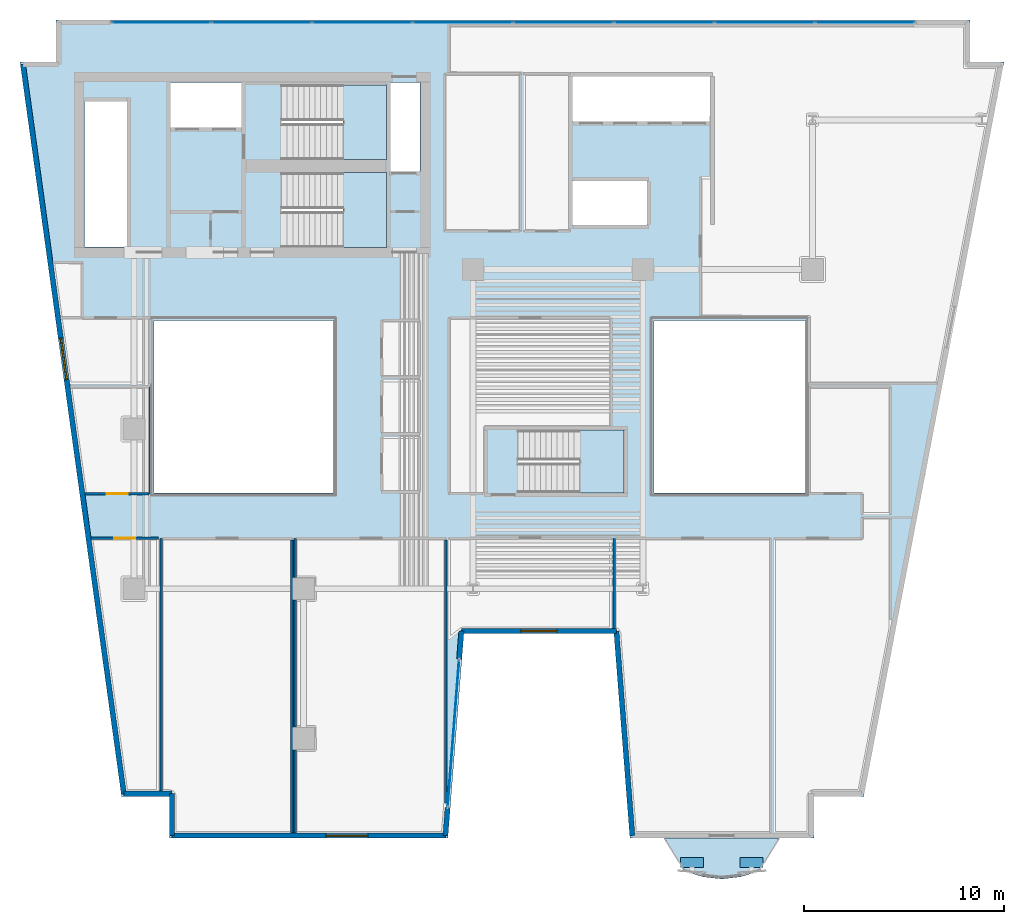
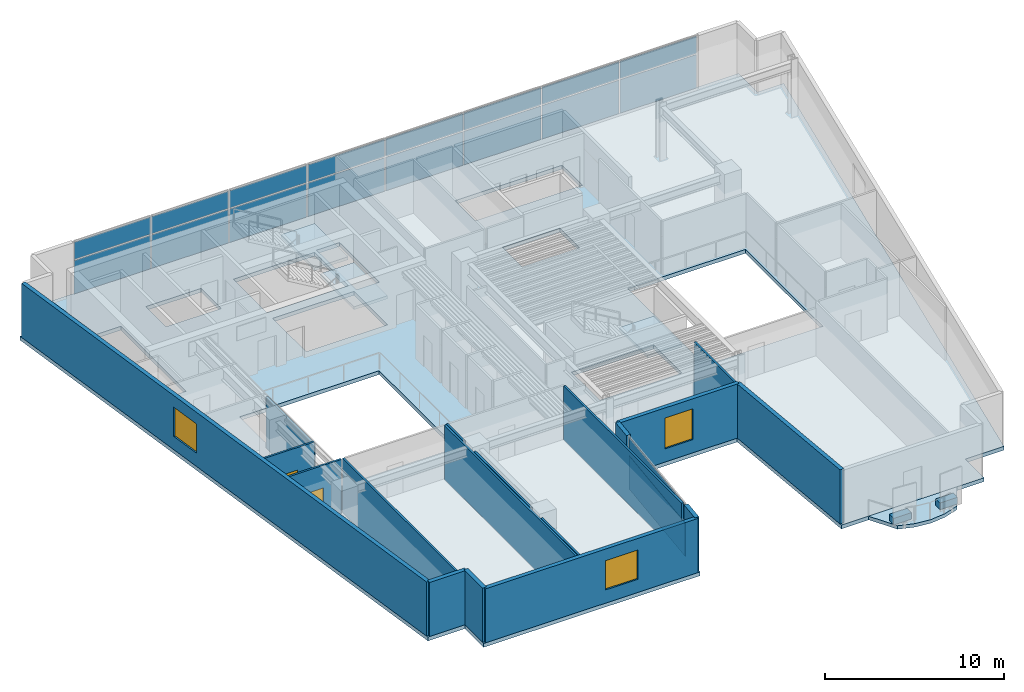
# One storey, part 5 of 13: 20 plates, 18 walls, 5 slabs, 3 windows, 2 doors, 5 openings, 5 elements without a shape of their own.
"""IFC4 building model written with IfcOpenShell, lengths in metres."""

from ifc_helpers import new_model, si_unit, direction, frame, frame_2d, origin, origin_2d, place, context, subcontext, project, spatial, polyline, rectangle, outline, extrude, material, layer, layer_set, type_object, element, fill, aggregate, save


model = new_model("IFC4")

# Units and contexts
model_context = context("Model", 3, precision=1e-05, world=origin(), true_north=direction((0.0, 1.0)))
body_context = subcontext(model_context, "Body", "Model", "MODEL_VIEW")
ifc_project = project(units=[si_unit("LENGTHUNIT", "METRE"), si_unit("AREAUNIT", "SQUARE_METRE"), si_unit("VOLUMEUNIT", "CUBIC_METRE"), si_unit("PLANEANGLEUNIT", "RADIAN"), si_unit("MASSUNIT", "GRAM", prefix="KILO")], contexts=[model_context])

# Site, building, storey
site_placement = place(None, origin())
site = spatial("IfcSite", under=ifc_project, at=site_placement, CompositionType="ELEMENT")
building_placement = place(site_placement, origin())
building = spatial("IfcBuilding", under=site, at=building_placement, Name="Caeloran Harvest Quay", CompositionType="ELEMENT")
storey_placement = place(building_placement, frame((0.0, 0.0, 170.64990234375)))
storey = spatial("IfcBuildingStorey", under=building, at=storey_placement, Name="L40", CompositionType="ELEMENT", Elevation=170.64990234375)

# Slab
ifc_material_1 = material(Name="Concrete C50/60", Category="concrete")
ifc_layer_1 = layer(ifc_material_1, 0.239990234375, Name="Concrete C50/60")
ifc_layer_set_1 = layer_set([ifc_layer_1], Name="Concrete C50/60")
slab_type_1 = type_object("IfcSlabType", Name="BALCONY-BL-240", PredefinedType="FLOOR", material=ifc_layer_set_1)
slab_1_placement = place(storey_placement, frame((0.0, 0.0, -0.239990234375)))
element("IfcSlab", 1, at=slab_1_placement, inside=storey, type_object=slab_type_1, Name="L40 Scalloped Cantilevered Planted Balcony Slab", PredefinedType="FLOOR", context=body_context, shape_type="SweptSolid", body=[
    extrude(outline(polyline([(39.869873046875, 0.86669921875), (38.913818359375, 0.56396484375), (37.95751953125, 0.453125), (37.001220703125, 0.56396484375), (36.045166015625, 0.86669921875), (35.1005859375, 2.5), (40.814453125, 2.5), (39.869873046875, 0.86669921875)])), origin(), (0.0, 0.0, 1.0), 0.239990234375),
])

# Curtain wall, plates
ifc_material_2 = material(Name="Aluminium 6063-T6 and Low-E Glazing", Category="aluminium")
ifc_layer_2 = layer(ifc_material_2, 0.22998046875, Name="Aluminium 6063-T6 and Low-E Glazing")
ifc_layer_set_2 = layer_set([ifc_layer_2], Name="Aluminium 6063-T6 and Low-E Glazing")
curtain_wall_type = type_object("IfcCurtainWallType", Name="CW-SYS-CW-6", PredefinedType="USERDEFINED", material=ifc_layer_set_2)
curtain_wall_1_placement = place(storey_placement, origin())
curtain_wall_1 = element("IfcCurtainWall", 2, at=curtain_wall_1_placement, inside=storey, type_object=curtain_wall_type, Name="L40 Unitised Curtain Wall CW-6 Run 6", ObjectType="CURTAIN_WALL", PredefinedType="USERDEFINED")
ifc_material_3 = material(Name="Low-E Double Glazed Vision Glass Unit", Category="glass")
ifc_layer_3 = layer(ifc_material_3, 0.035888671875, Name="Low-E Double Glazed Vision Glass Unit")
ifc_layer_set_3 = layer_set([ifc_layer_3], Name="Low-E Double Glazed Vision Glass Unit")
plate_type_1 = type_object("IfcPlateType", Name="CW-VISION-PANEL", PredefinedType="CURTAIN_PANEL", material=ifc_layer_set_3)
plate_1_placement = place(storey_placement, frame((9.871337890625, 43.3701171875, 0.080078125), z_axis=(0.0, 0.0, 1.0), x_axis=(1.0, 0.0, 0.0)))
plate_1 = element("IfcPlate", 3, at=plate_1_placement, type_object=plate_type_1, Name="CW-6 panel 1.1", PredefinedType="CURTAIN_PANEL", context=body_context, shape_type="SweptSolid", body=[
    extrude(rectangle(XDim=4.922607421875, YDim=0.035888671875, at=origin_2d()), origin(), (0.0, 0.0, 1.0), 2.280029296875),
])
plate_2_placement = place(storey_placement, frame((9.871337890625, 43.3701171875, 2.440185546875), z_axis=(0.0, 0.0, 1.0), x_axis=(1.0, 0.0, 0.0)))
plate_2 = element("IfcPlate", 4, at=plate_2_placement, type_object=plate_type_1, Name="CW-6 panel 1.2", PredefinedType="CURTAIN_PANEL", context=body_context, shape_type="SweptSolid", body=[
    extrude(rectangle(XDim=4.922607421875, YDim=0.035888671875, at=origin_2d()), origin(), (0.0, 0.0, 1.0), 1.169921875),
])
plate_3_placement = place(storey_placement, frame((14.893798828125, 43.3701171875, 0.080078125), z_axis=(0.0, 0.0, 1.0), x_axis=(1.0, 0.0, 0.0)))
plate_3 = element("IfcPlate", 5, at=plate_3_placement, type_object=plate_type_1, Name="CW-6 panel 2.1", PredefinedType="CURTAIN_PANEL", context=body_context, shape_type="SweptSolid", body=[
    extrude(rectangle(XDim=4.96240234375, YDim=0.035888671875, at=origin_2d()), origin(), (0.0, 0.0, 1.0), 2.280029296875),
])
plate_4_placement = place(storey_placement, frame((14.893798828125, 43.3701171875, 2.440185546875), z_axis=(0.0, 0.0, 1.0), x_axis=(1.0, 0.0, 0.0)))
plate_4 = element("IfcPlate", 6, at=plate_4_placement, type_object=plate_type_1, Name="CW-6 panel 2.2", PredefinedType="CURTAIN_PANEL", context=body_context, shape_type="SweptSolid", body=[
    extrude(rectangle(XDim=4.96240234375, YDim=0.035888671875, at=origin_2d()), origin(), (0.0, 0.0, 1.0), 1.169921875),
])
plate_5_placement = place(storey_placement, frame((19.936279296875, 43.3701171875, 0.080078125), z_axis=(0.0, 0.0, 1.0), x_axis=(1.0, 0.0, 0.0)))
plate_5 = element("IfcPlate", 7, at=plate_5_placement, type_object=plate_type_1, Name="CW-6 panel 3.1", PredefinedType="CURTAIN_PANEL", context=body_context, shape_type="SweptSolid", body=[
    extrude(rectangle(XDim=4.96240234375, YDim=0.035888671875, at=origin_2d()), origin(), (0.0, 0.0, 1.0), 2.280029296875),
])
plate_6_placement = place(storey_placement, frame((19.936279296875, 43.3701171875, 2.440185546875), z_axis=(0.0, 0.0, 1.0), x_axis=(1.0, 0.0, 0.0)))
plate_6 = element("IfcPlate", 8, at=plate_6_placement, type_object=plate_type_1, Name="CW-6 panel 3.2", PredefinedType="CURTAIN_PANEL", context=body_context, shape_type="SweptSolid", body=[
    extrude(rectangle(XDim=4.96240234375, YDim=0.035888671875, at=origin_2d()), origin(), (0.0, 0.0, 1.0), 1.169921875),
])
plate_7_placement = place(storey_placement, frame((24.978759765625, 43.3701171875, 0.080078125), z_axis=(0.0, 0.0, 1.0), x_axis=(1.0, 0.0, 0.0)))
plate_7 = element("IfcPlate", 9, at=plate_7_placement, type_object=plate_type_1, Name="CW-6 panel 4.1", PredefinedType="CURTAIN_PANEL", context=body_context, shape_type="SweptSolid", body=[
    extrude(rectangle(XDim=4.96240234375, YDim=0.035888671875, at=origin_2d()), origin(), (0.0, 0.0, 1.0), 2.280029296875),
])
plate_8_placement = place(storey_placement, frame((24.978759765625, 43.3701171875, 2.440185546875), z_axis=(0.0, 0.0, 1.0), x_axis=(1.0, 0.0, 0.0)))
plate_8 = element("IfcPlate", 10, at=plate_8_placement, type_object=plate_type_1, Name="CW-6 panel 4.2", PredefinedType="CURTAIN_PANEL", context=body_context, shape_type="SweptSolid", body=[
    extrude(rectangle(XDim=4.96240234375, YDim=0.035888671875, at=origin_2d()), origin(), (0.0, 0.0, 1.0), 1.169921875),
])
plate_9_placement = place(storey_placement, frame((30.021240234375, 43.3701171875, 0.080078125), z_axis=(0.0, 0.0, 1.0), x_axis=(1.0, 0.0, 0.0)))
plate_9 = element("IfcPlate", 11, at=plate_9_placement, type_object=plate_type_1, Name="CW-6 panel 5.1", PredefinedType="CURTAIN_PANEL", context=body_context, shape_type="SweptSolid", body=[
    extrude(rectangle(XDim=4.96240234375, YDim=0.035888671875, at=origin_2d()), origin(), (0.0, 0.0, 1.0), 2.280029296875),
])
plate_10_placement = place(storey_placement, frame((30.021240234375, 43.3701171875, 2.440185546875), z_axis=(0.0, 0.0, 1.0), x_axis=(1.0, 0.0, 0.0)))
plate_10 = element("IfcPlate", 12, at=plate_10_placement, type_object=plate_type_1, Name="CW-6 panel 5.2", PredefinedType="CURTAIN_PANEL", context=body_context, shape_type="SweptSolid", body=[
    extrude(rectangle(XDim=4.96240234375, YDim=0.035888671875, at=origin_2d()), origin(), (0.0, 0.0, 1.0), 1.169921875),
])
plate_11_placement = place(storey_placement, frame((35.063720703125, 43.3701171875, 0.080078125), z_axis=(0.0, 0.0, 1.0), x_axis=(1.0, 0.0, 0.0)))
plate_11 = element("IfcPlate", 13, at=plate_11_placement, type_object=plate_type_1, Name="CW-6 panel 6.1", PredefinedType="CURTAIN_PANEL", context=body_context, shape_type="SweptSolid", body=[
    extrude(rectangle(XDim=4.96240234375, YDim=0.035888671875, at=origin_2d()), origin(), (0.0, 0.0, 1.0), 2.280029296875),
])
plate_12_placement = place(storey_placement, frame((35.063720703125, 43.3701171875, 2.440185546875), z_axis=(0.0, 0.0, 1.0), x_axis=(1.0, 0.0, 0.0)))
plate_12 = element("IfcPlate", 14, at=plate_12_placement, type_object=plate_type_1, Name="CW-6 panel 6.2", PredefinedType="CURTAIN_PANEL", context=body_context, shape_type="SweptSolid", body=[
    extrude(rectangle(XDim=4.96240234375, YDim=0.035888671875, at=origin_2d()), origin(), (0.0, 0.0, 1.0), 1.169921875),
])
plate_13_placement = place(storey_placement, frame((40.106201171875, 43.3701171875, 0.080078125), z_axis=(0.0, 0.0, 1.0), x_axis=(1.0, 0.0, 0.0)))
plate_13 = element("IfcPlate", 15, at=plate_13_placement, type_object=plate_type_1, Name="CW-6 panel 7.1", PredefinedType="CURTAIN_PANEL", context=body_context, shape_type="SweptSolid", body=[
    extrude(rectangle(XDim=4.96240234375, YDim=0.035888671875, at=origin_2d()), origin(), (0.0, 0.0, 1.0), 2.280029296875),
])
plate_14_placement = place(storey_placement, frame((40.106201171875, 43.3701171875, 2.440185546875), z_axis=(0.0, 0.0, 1.0), x_axis=(1.0, 0.0, 0.0)))
plate_14 = element("IfcPlate", 16, at=plate_14_placement, type_object=plate_type_1, Name="CW-6 panel 7.2", PredefinedType="CURTAIN_PANEL", context=body_context, shape_type="SweptSolid", body=[
    extrude(rectangle(XDim=4.96240234375, YDim=0.035888671875, at=origin_2d()), origin(), (0.0, 0.0, 1.0), 1.169921875),
])
plate_15_placement = place(storey_placement, frame((45.128662109375, 43.3701171875, 0.080078125), z_axis=(0.0, 0.0, 1.0), x_axis=(1.0, 0.0, 0.0)))
plate_15 = element("IfcPlate", 17, at=plate_15_placement, type_object=plate_type_1, Name="CW-6 panel 8.1", PredefinedType="CURTAIN_PANEL", context=body_context, shape_type="SweptSolid", body=[
    extrude(rectangle(XDim=4.922607421875, YDim=0.035888671875, at=origin_2d()), origin(), (0.0, 0.0, 1.0), 2.280029296875),
])
plate_16_placement = place(storey_placement, frame((45.128662109375, 43.3701171875, 2.440185546875), z_axis=(0.0, 0.0, 1.0), x_axis=(1.0, 0.0, 0.0)))
plate_16 = element("IfcPlate", 18, at=plate_16_placement, type_object=plate_type_1, Name="CW-6 panel 8.2", PredefinedType="CURTAIN_PANEL", context=body_context, shape_type="SweptSolid", body=[
    extrude(rectangle(XDim=4.922607421875, YDim=0.035888671875, at=origin_2d()), origin(), (0.0, 0.0, 1.0), 1.169921875),
])
aggregate(curtain_wall_1, [plate_1, plate_2, plate_3, plate_4, plate_5, plate_6, plate_7, plate_8, plate_9, plate_10, plate_11, plate_12, plate_13, plate_14, plate_15, plate_16])

curtain_wall_2_placement = place(storey_placement, origin())
curtain_wall_2 = element("IfcCurtainWall", 19, at=curtain_wall_2_placement, inside=storey, type_object=curtain_wall_type, Name="L40 Unitised Curtain Wall CW-6 Run 15", ObjectType="CURTAIN_WALL", PredefinedType="USERDEFINED")
plate_17_placement = place(storey_placement, frame((24.509765625, 7.7548828125, 0.080078125), z_axis=(0.0, 0.0, 1.0), x_axis=(-0.077821861046, -0.996967280277, 0.0)))
plate_17 = element("IfcPlate", 20, at=plate_17_placement, type_object=plate_type_1, Name="CW-6 panel 1.1", PredefinedType="CURTAIN_PANEL", context=body_context, shape_type="SweptSolid", body=[
    extrude(rectangle(XDim=7.3212890625, YDim=0.035888671875, at=origin_2d()), origin(), (0.0, 0.0, 1.0), 2.280029296875),
])
plate_18_placement = place(storey_placement, frame((24.509765625, 7.7548828125, 2.440185546875), z_axis=(0.0, 0.0, 1.0), x_axis=(-0.077821861046, -0.996967280277, 0.0)))
plate_18 = element("IfcPlate", 21, at=plate_18_placement, type_object=plate_type_1, Name="CW-6 panel 1.2", PredefinedType="CURTAIN_PANEL", context=body_context, shape_type="SweptSolid", body=[
    extrude(rectangle(XDim=7.3212890625, YDim=0.035888671875, at=origin_2d()), origin(), (0.0, 0.0, 1.0), 1.169921875),
])
aggregate(curtain_wall_2, [plate_17, plate_18])

# Plates
ifc_material_4 = material(Name="Precast concrete C50/60", Category="concrete")
ifc_layer_4 = layer(ifc_material_4, 0.449951171875, Name="Precast concrete C50/60")
ifc_layer_set_4 = layer_set([ifc_layer_4], Name="Precast concrete C50/60")
plate_type_2 = type_object("IfcPlateType", Name="PLANTER-TROUGH-450", PredefinedType="USERDEFINED", material=ifc_layer_set_4)
for number, where, z_axis, x_axis, name in (
    (22, (39.44921875, 1.280517578125, 0.0), (0.0, 0.0, 1.0), (1.0, 0.0, 0.0), "L40 Balcony Vertical-Greenery Precast PLANTER Trough 1"),
    (23, (36.4658203125, 1.280517578125, 0.0), (0.0, 0.0, 1.0), (1.0, 0.0, 0.0), "L40 Balcony Vertical-Greenery Precast PLANTER Trough 2"),
):
    element("IfcPlate", number, at=place(storey_placement, frame(where, z_axis=z_axis, x_axis=x_axis)), inside=storey, type_object=plate_type_2, Name=name, ObjectType="PLANTER", PredefinedType="USERDEFINED", context=body_context, shape_type="SweptSolid", body=[
        extrude(rectangle(XDim=1.14990234375, YDim=0.47998046875, at=origin_2d()), origin(), (0.0, 0.0, 1.0), 0.449951171875),
    ])

# Slab
ifc_layer_5 = layer(ifc_material_1, 0.260009765625, Name="Concrete C50/60")
ifc_layer_set_5 = layer_set([ifc_layer_5], Name="Concrete C50/60")
slab_type_2 = type_object("IfcSlabType", Name="SLAB-FS-260", PredefinedType="FLOOR", material=ifc_layer_set_5)
slab_2_placement = place(storey_placement, frame((0.0, 0.0, -0.260009765625)))
element("IfcSlab", 24, at=slab_2_placement, inside=storey, type_object=slab_type_2, Name="L40 Structural Floor Slab", PredefinedType="FLOOR", context=body_context, shape_type="SweptSolid", body=[
    extrude(outline(polyline([(10.27001953125, 2.5), (24.22998046875, 2.5), (25.030029296875, 12.75), (32.554931640625, 12.75), (33.35498046875, 2.5), (42.570068359375, 2.5), (42.570068359375, 4.60009765625), (45.071044921875, 4.60009765625), (52.09912109375, 41.39990234375), (50.39990234375, 41.39990234375), (50.39990234375, 43.5), (4.60009765625, 43.5), (4.60009765625, 41.39990234375), (2.790283203125, 41.39990234375), (7.879638671875, 4.60009765625), (10.27001953125, 4.60009765625), (10.27001953125, 2.5)]), holes=[polyline([(27.75, 19.800048828125), (27.75, 22.949951171875), (33.050048828125, 22.949951171875), (33.050048828125, 19.800048828125), (27.75, 19.800048828125)]), polyline([(18.5, 19.800048828125), (9.5, 19.800048828125), (9.5, 28.449951171875), (18.5, 28.449951171875), (18.5, 19.800048828125)]), polyline([(42.14990234375, 19.800048828125), (34.550048828125, 19.800048828125), (34.550048828125, 28.449951171875), (42.14990234375, 28.449951171875), (42.14990234375, 19.800048828125)]), polyline([(15.89990234375, 35.85009765625), (21.14990234375, 35.85009765625), (21.14990234375, 32.10009765625), (15.89990234375, 32.10009765625), (15.89990234375, 35.85009765625)]), polyline([(30.47998046875, 33.219970703125), (30.47998046875, 35.429931640625), (34.199951171875, 35.429931640625), (34.199951171875, 33.219970703125), (30.47998046875, 33.219970703125)]), polyline([(8.159912109375, 32.1201171875), (6.02001953125, 32.1201171875), (6.02001953125, 39.419921875), (8.159912109375, 39.419921875), (8.159912109375, 32.1201171875)]), polyline([(22.830078125, 35.919921875), (21.35009765625, 35.919921875), (21.35009765625, 40.3798828125), (22.830078125, 40.3798828125), (22.830078125, 35.919921875)]), polyline([(15.89990234375, 36.5), (15.89990234375, 40.25), (21.14990234375, 40.25), (21.14990234375, 36.5), (15.89990234375, 36.5)]), polyline([(10.320068359375, 38.1201171875), (10.320068359375, 40.3798828125), (13.89990234375, 40.3798828125), (13.89990234375, 38.1201171875), (10.320068359375, 38.1201171875)]), polyline([(30.47998046875, 38.419921875), (30.47998046875, 40.679931640625), (37.3798828125, 40.679931640625), (37.3798828125, 38.419921875), (30.47998046875, 38.419921875)])]), origin(), (0.0, 0.0, 1.0), 0.260009765625),
])

# Stair, slab
stair_type_1 = type_object("IfcStairType", Name="STAIR-STC-180", PredefinedType="HALF_TURN_STAIR", material=ifc_material_1)
stair_1_placement = place(storey_placement, origin())
stair_1 = element("IfcStair", 25, at=stair_1_placement, inside=storey, type_object=stair_type_1, Name="L40 Core Pressurized Exit Stair ST-C1", PredefinedType="HALF_TURN_STAIR")
ifc_layer_6 = layer(ifc_material_1, 0.219970703125, Name="Concrete C50/60")
ifc_layer_set_6 = layer_set([ifc_layer_6], Name="Concrete C50/60")
slab_type_3 = type_object("IfcSlabType", Name="STAIR-LANDING-220", PredefinedType="LANDING", material=ifc_layer_set_6)
slab_3_placement = place(storey_placement, frame((0.0, 0.0, 1.775146484375)))
slab_3 = element("IfcSlab", 26, at=slab_3_placement, type_object=slab_type_3, Name="ST-C1 landing 1", PredefinedType="LANDING", context=body_context, shape_type="SweptSolid", body=[
    extrude(outline(polyline([(18.97998046875, 36.5), (21.14990234375, 36.5), (21.14990234375, 40.25), (18.97998046875, 40.25), (18.97998046875, 36.5)])), origin(), (0.0, 0.0, 1.0), 0.199951171875),
])
aggregate(stair_1, [slab_3])

stair_2_placement = place(storey_placement, origin())
stair_2 = element("IfcStair", 27, at=stair_2_placement, inside=storey, type_object=stair_type_1, Name="L40 Core Pressurized Exit Stair ST-C2", PredefinedType="HALF_TURN_STAIR")
slab_4_placement = place(storey_placement, frame((0.0, 0.0, 1.775146484375)))
slab_4 = element("IfcSlab", 28, at=slab_4_placement, type_object=slab_type_3, Name="ST-C2 landing 1", PredefinedType="LANDING", context=body_context, shape_type="SweptSolid", body=[
    extrude(outline(polyline([(18.97998046875, 32.10009765625), (21.14990234375, 32.10009765625), (21.14990234375, 35.85009765625), (18.97998046875, 35.85009765625), (18.97998046875, 32.10009765625)])), origin(), (0.0, 0.0, 1.0), 0.199951171875),
])
aggregate(stair_2, [slab_4])

stair_type_2 = type_object("IfcStairType", Name="STAIR-STW-150", PredefinedType="HALF_TURN_STAIR", material=ifc_material_1)
stair_3_placement = place(storey_placement, origin())
stair_3 = element("IfcStair", 29, at=stair_3_placement, inside=storey, type_object=stair_type_2, Name="L40 East Wing Protected Exit Stair ST-W1", PredefinedType="HALF_TURN_STAIR")
slab_5_placement = place(storey_placement, frame((0.0, 0.0, 1.775146484375)))
slab_5 = element("IfcSlab", 30, at=slab_5_placement, type_object=slab_type_3, Name="ST-W1 landing 1", PredefinedType="LANDING", context=body_context, shape_type="SweptSolid", body=[
    extrude(outline(polyline([(30.830078125, 19.800048828125), (33.050048828125, 19.800048828125), (33.050048828125, 22.949951171875), (30.830078125, 22.949951171875), (30.830078125, 19.800048828125)])), origin(), (0.0, 0.0, 1.0), 0.199951171875),
])
aggregate(stair_3, [slab_5])

# Walls
ifc_layer_7 = layer(ifc_material_4, 0.260009765625, Name="Precast concrete C50/60")
ifc_layer_set_7 = layer_set([ifc_layer_7], Name="Precast concrete C50/60")
wall_type_1 = type_object("IfcWallType", Name="ENV-WALL-EW-260", PredefinedType="STANDARD", material=ifc_layer_set_7)
wall_1_placement = place(storey_placement, frame((10.39990234375, 2.6298828125, 0.0), z_axis=(0.0, 0.0, 1.0), x_axis=(0.0, 1.0, 0.0)))
element("IfcWall", 31, at=wall_1_placement, inside=storey, type_object=wall_type_1, Name="L40 Exterior Precast Concrete Facade Wall 1", PredefinedType="STANDARD", context=body_context, shape_type="SweptSolid", body=[
    extrude(rectangle(XDim=2.10009765625, YDim=0.260009765625, at=frame_2d((1.050048828125, 0.0))), origin(), (0.0, 0.0, 1.0), 3.690185546875),
])
wall_2_placement = place(storey_placement, frame((10.39990234375, 4.72998046875, 0.0), z_axis=(0.0, 0.0, 1.0), x_axis=(-1.0, 0.0, 0.0)))
element("IfcWall", 32, at=wall_2_placement, inside=storey, type_object=wall_type_1, Name="L40 Exterior Precast Concrete Facade Wall 2", PredefinedType="STANDARD", context=body_context, shape_type="SweptSolid", body=[
    extrude(rectangle(XDim=2.406982421875, YDim=0.260009765625, at=frame_2d((1.20361328125, 0.0))), origin(), (0.0, 0.0, 1.0), 3.690185546875),
])

# Wall, opening, window
wall_3_placement = place(storey_placement, frame((7.992919921875, 4.72998046875, 0.0), z_axis=(0.0, 0.0, 1.0), x_axis=(-0.136989009016, 0.990572567462, 0.0)))
wall_3 = element("IfcWall", 33, at=wall_3_placement, inside=storey, type_object=wall_type_1, Name="L40 Exterior Precast Concrete Facade Wall 3", PredefinedType="STANDARD", context=body_context, shape_type="SweptSolid", body=[
    extrude(rectangle(XDim=36.8876953125, YDim=0.260009765625, at=frame_2d((18.44384765625, 0.0))), origin(), (0.0, 0.0, 1.0), 3.690185546875),
])
opening_1_placement = place(wall_3_placement, frame((20.949462890625, 0.0, 0.89990234375)))
opening_1 = element("IfcOpeningElement", 34, at=opening_1_placement, cuts=wall_3, Name="Opening W-06", PredefinedType="OPENING", context=body_context, shape_type="SweptSolid", body=[
    extrude(rectangle(XDim=2.10009765625, YDim=2.0, at=frame_2d((1.050048828125, 1.0))), frame((0.0, 0.14013671875, 0.0), z_axis=(0.0, -1.0, 0.0), x_axis=(1.0, 0.0, 0.0)), (0.0, 0.0, 1.0), 0.280029296875),
])
ifc_material_5 = material(Name="Aluminium-Framed Low-E Laminated Glass", Category="aluminium")
window_type_1 = type_object("IfcWindowType", Name="WIN-W-06", PartitioningType="DOUBLE_PANEL_VERTICAL", PredefinedType="WINDOW", material=ifc_material_5)
window_1_placement = place(opening_1_placement, origin())
window_1 = element("IfcWindow", 35, at=window_1_placement, inside=storey, type_object=window_type_1, Name="L40 Facade Punched Window W-06", OverallHeight=2.0, OverallWidth=2.10009765625, PartitioningType="DOUBLE_PANEL_VERTICAL", PredefinedType="WINDOW", context=body_context, shape_type="SweptSolid", body=[
    extrude(rectangle(XDim=2.10009765625, YDim=2.0, at=frame_2d((1.050048828125, 1.0))), frame((0.0, 0.030029296875, 0.0), z_axis=(0.0, -1.0, 0.0), x_axis=(1.0, 0.0, 0.0)), (0.0, 0.0, 1.0), 0.06005859375),
])
fill(opening_1, window_1)

# Wall
wall_4_placement = place(storey_placement, frame((33.47509765625, 2.6298828125, 0.0), z_axis=(0.0, 0.0, 1.0), x_axis=(-0.077793257511, 0.996969512616, 0.0)))
element("IfcWall", 36, at=wall_4_placement, inside=storey, type_object=wall_type_1, Name="L40 Exterior Precast Concrete Facade Wall 13", PredefinedType="STANDARD", context=body_context, shape_type="SweptSolid", body=[
    extrude(rectangle(XDim=10.28125, YDim=0.260009765625, at=frame_2d((5.140625, 0.0))), origin(), (0.0, 0.0, 1.0), 3.690185546875),
])

# Wall, opening, window
wall_5_placement = place(storey_placement, frame((32.67529296875, 12.8798828125, 0.0), z_axis=(0.0, 0.0, 1.0), x_axis=(-1.0, 0.0, 0.0)))
wall_5 = element("IfcWall", 37, at=wall_5_placement, inside=storey, type_object=wall_type_1, Name="L40 Exterior Precast Concrete Facade Wall 14", PredefinedType="STANDARD", context=body_context, shape_type="SweptSolid", body=[
    extrude(rectangle(XDim=7.765380859375, YDim=0.260009765625, at=frame_2d((3.8828125, 0.0))), origin(), (0.0, 0.0, 1.0), 3.690185546875),
])
opening_2_placement = place(wall_5_placement, frame((2.98291015625, 0.0, 0.89990234375)))
opening_2 = element("IfcOpeningElement", 38, at=opening_2_placement, cuts=wall_5, Name="Opening W-01", PredefinedType="OPENING", context=body_context, shape_type="SweptSolid", body=[
    extrude(rectangle(XDim=1.800048828125, YDim=2.10009765625, at=frame_2d((0.89990234375, 1.050048828125))), frame((0.0, 0.14013671875, 0.0), z_axis=(0.0, -1.0, 0.0), x_axis=(1.0, 0.0, 0.0)), (0.0, 0.0, 1.0), 0.280029296875),
])
window_type_2 = type_object("IfcWindowType", Name="WIN-W-01", PartitioningType="SINGLE_PANEL", PredefinedType="WINDOW", material=ifc_material_5)
window_2_placement = place(opening_2_placement, origin())
window_2 = element("IfcWindow", 39, at=window_2_placement, inside=storey, type_object=window_type_2, Name="L40 Facade Punched Window W-01", OverallHeight=2.10009765625, OverallWidth=1.800048828125, PartitioningType="SINGLE_PANEL", PredefinedType="WINDOW", context=body_context, shape_type="SweptSolid", body=[
    extrude(rectangle(XDim=1.800048828125, YDim=2.10009765625, at=frame_2d((0.89990234375, 1.050048828125))), frame((0.0, 0.030029296875, 0.0), z_axis=(0.0, -1.0, 0.0), x_axis=(1.0, 0.0, 0.0)), (0.0, 0.0, 1.0), 0.06005859375),
])
fill(opening_2, window_2)

# Walls
for number, where, z_axis, x_axis, name in (
    (40, (24.909912109375, 12.8798828125, 0.0), (0.0, 0.0, 1.0), (-0.077949956455, -0.996957273051, 0.0), "L40 Exterior Facade Corner Pier Wall 15A"),
    (41, (24.21875, 4.025634765625, 0.0), (0.0, 0.0, 1.0), (-0.077776627829, -0.996970810086, 0.0), "L40 Exterior Facade Corner Pier Wall 15B"),
):
    element("IfcWall", number, at=place(storey_placement, frame(where, z_axis=z_axis, x_axis=x_axis)), inside=storey, type_object=wall_type_1, Name=name, PredefinedType="STANDARD", context=body_context, shape_type="SweptSolid", body=[
        extrude(rectangle(XDim=1.39990234375, YDim=0.260009765625, at=frame_2d((0.699951171875, 0.0))), origin(), (0.0, 0.0, 1.0), 3.690185546875),
    ])

# Wall, opening, window
wall_6_placement = place(storey_placement, frame((24.10986328125, 2.6298828125, 0.0), z_axis=(0.0, 0.0, 1.0), x_axis=(-1.0, 0.0, 0.0)))
wall_6 = element("IfcWall", 42, at=wall_6_placement, inside=storey, type_object=wall_type_1, Name="L40 Exterior Precast Concrete Facade Wall 16", PredefinedType="STANDARD", context=body_context, shape_type="SweptSolid", body=[
    extrude(rectangle(XDim=13.7099609375, YDim=0.260009765625, at=frame_2d((6.85498046875, 0.0))), origin(), (0.0, 0.0, 1.0), 3.690185546875),
])
opening_3_placement = place(wall_6_placement, frame((3.885986328125, 0.0, 0.89990234375)))
opening_3 = element("IfcOpeningElement", 43, at=opening_3_placement, cuts=wall_6, Name="Opening W-06", PredefinedType="OPENING", context=body_context, shape_type="SweptSolid", body=[
    extrude(rectangle(XDim=2.10009765625, YDim=2.0, at=frame_2d((1.050048828125, 1.0))), frame((0.0, 0.14013671875, 0.0), z_axis=(0.0, -1.0, 0.0), x_axis=(1.0, 0.0, 0.0)), (0.0, 0.0, 1.0), 0.280029296875),
])
window_3_placement = place(opening_3_placement, origin())
window_3 = element("IfcWindow", 44, at=window_3_placement, inside=storey, type_object=window_type_1, Name="L40 Facade Punched Window W-06", OverallHeight=2.0, OverallWidth=2.10009765625, PartitioningType="DOUBLE_PANEL_VERTICAL", PredefinedType="WINDOW", context=body_context, shape_type="SweptSolid", body=[
    extrude(rectangle(XDim=2.10009765625, YDim=2.0, at=frame_2d((1.050048828125, 1.0))), frame((0.0, 0.030029296875, 0.0), z_axis=(0.0, -1.0, 0.0), x_axis=(1.0, 0.0, 0.0)), (0.0, 0.0, 1.0), 0.06005859375),
])
fill(opening_3, window_3)

# Walls
ifc_material_6 = material(Name="Twin-Stud Mineral-Wool Acoustic Gypsum Partition", Category="gypsum")
ifc_layer_8 = layer(ifc_material_6, 0.125, Name="Twin-Stud Mineral-Wool Acoustic Gypsum Partition")
ifc_layer_set_8 = layer_set([ifc_layer_8], Name="Twin-Stud Mineral-Wool Acoustic Gypsum Partition")
wall_type_2 = type_object("IfcWallType", Name="INT-WALL-PW-125", PredefinedType="PARTITIONING", material=ifc_layer_set_8)
wall_7_placement = place(storey_placement, frame((16.580078125, 2.764892578125, 0.0), z_axis=(0.0, 0.0, 1.0), x_axis=(0.0, 1.0, 0.0)))
element("IfcWall", 45, at=wall_7_placement, inside=storey, type_object=wall_type_2, Name="Agri-Design Innovation Studio Partition Wall", PredefinedType="PARTITIONING", context=body_context, shape_type="SweptSolid", body=[
    extrude(rectangle(XDim=4.16015625, YDim=0.125, at=frame_2d((2.080078125, 0.0))), origin(), (0.0, 0.0, 1.0), 3.690185546875),
])
wall_8_placement = place(storey_placement, frame((16.580078125, 8.074951171875, 0.0), z_axis=(0.0, 0.0, 1.0), x_axis=(0.0, 1.0, 0.0)))
element("IfcWall", 46, at=wall_8_placement, inside=storey, type_object=wall_type_2, Name="Agri-Design Innovation Studio Partition Wall", PredefinedType="PARTITIONING", context=body_context, shape_type="SweptSolid", body=[
    extrude(rectangle(XDim=6.35009765625, YDim=0.125, at=frame_2d((3.175048828125, 0.0))), origin(), (0.0, 0.0, 1.0), 3.690185546875),
])
wall_9_placement = place(storey_placement, frame((16.580078125, 15.574951171875, 0.0), z_axis=(0.0, 0.0, 1.0), x_axis=(0.0, 1.0, 0.0)))
element("IfcWall", 47, at=wall_9_placement, inside=storey, type_object=wall_type_2, Name="Agri-Design Innovation Studio Partition Wall", PredefinedType="PARTITIONING", context=body_context, shape_type="SweptSolid", body=[
    extrude(rectangle(XDim=1.945068359375, YDim=0.125, at=frame_2d((0.97265625, 0.0))), origin(), (0.0, 0.0, 1.0), 3.690185546875),
])
wall_10_placement = place(storey_placement, frame((24.1201171875, 17.452392578125, 0.0), z_axis=(0.0, 0.0, 1.0), x_axis=(0.0, -1.0, 0.0)))
element("IfcWall", 48, at=wall_10_placement, inside=storey, type_object=wall_type_2, Name="Agri-Design Innovation Studio Partition Wall", PredefinedType="PARTITIONING", context=body_context, shape_type="SweptSolid", body=[
    extrude(rectangle(XDim=13.200439453125, YDim=0.125, at=frame_2d((6.60009765625, 0.0))), origin(), (0.0, 0.0, 1.0), 3.690185546875),
])
wall_11_placement = place(storey_placement, frame((9.8798828125, 4.864990234375, 0.0), z_axis=(0.0, 0.0, 1.0), x_axis=(0.0, 1.0, 0.0)))
element("IfcWall", 49, at=wall_11_placement, inside=storey, type_object=wall_type_2, Name="Hospitality Tasting Dining Kitchen Partition Wall", PredefinedType="PARTITIONING", context=body_context, shape_type="SweptSolid", body=[
    extrude(rectangle(XDim=12.655029296875, YDim=0.125, at=frame_2d((6.32763671875, 0.0))), origin(), (0.0, 0.0, 1.0), 3.690185546875),
])
wall_12_placement = place(storey_placement, frame((16.419921875, 17.452392578125, 0.0), z_axis=(0.0, 0.0, 1.0), x_axis=(0.0, -1.0, 0.0)))
element("IfcWall", 50, at=wall_12_placement, inside=storey, type_object=wall_type_2, Name="Hospitality Tasting Dining Kitchen Partition Wall", PredefinedType="PARTITIONING", context=body_context, shape_type="SweptSolid", body=[
    extrude(rectangle(XDim=14.6875, YDim=0.125, at=frame_2d((7.34375, 0.0))), origin(), (0.0, 0.0, 1.0), 3.690185546875),
])
wall_13_placement = place(storey_placement, frame((32.580078125, 13.014892578125, 0.0), z_axis=(0.0, 0.0, 1.0), x_axis=(0.0, 1.0, 0.0)))
element("IfcWall", 51, at=wall_13_placement, inside=storey, type_object=wall_type_2, Name="Culinary Product Studio Partition Wall", PredefinedType="PARTITIONING", context=body_context, shape_type="SweptSolid", body=[
    extrude(rectangle(XDim=4.505126953125, YDim=0.125, at=frame_2d((2.25244140625, 0.0))), origin(), (0.0, 0.0, 1.0), 3.690185546875),
])

# Wall, opening, door
wall_14_placement = place(storey_placement, frame((6.3603515625, 17.52001953125, 0.0), z_axis=(0.0, 0.0, 1.0), x_axis=(1.0, 0.0, 0.0)))
wall_14 = element("IfcWall", 52, at=wall_14_placement, inside=storey, type_object=wall_type_2, Name="Executive Chef Kitchen Partition Wall", PredefinedType="PARTITIONING", context=body_context, shape_type="SweptSolid", body=[
    extrude(rectangle(XDim=3.359619140625, YDim=0.125, at=frame_2d((1.6796875, 0.0))), origin(), (0.0, 0.0, 1.0), 3.690185546875),
])
opening_4_placement = place(wall_14_placement, frame((1.15478515625, 0.0, 0.0)))
opening_4 = element("IfcOpeningElement", 53, at=opening_4_placement, cuts=wall_14, Name="Opening ID-03", PredefinedType="OPENING", context=body_context, shape_type="SweptSolid", body=[
    extrude(rectangle(XDim=1.050048828125, YDim=2.14990234375, at=frame_2d((0.52490234375, 1.074951171875))), frame((0.0, 0.072509765625, 0.0), z_axis=(0.0, -1.0, 0.0), x_axis=(1.0, 0.0, 0.0)), (0.0, 0.0, 1.0), 0.14501953125),
])
ifc_material_7 = material(Name="FSC Solid-Core Oak Timber Leaf", Category="wood")
door_type = type_object("IfcDoorType", Name="INTDOOR-ID-03", OperationType="NOTDEFINED", PredefinedType="DOOR", material=ifc_material_7)
door_1_placement = place(opening_4_placement, origin())
door_1 = element("IfcDoor", 54, at=door_1_placement, inside=storey, type_object=door_type, Name="Executive Chef Kitchen Access Door", OperationType="SINGLE_SWING_LEFT", OverallHeight=2.14990234375, OverallWidth=1.050048828125, PredefinedType="DOOR", context=body_context, shape_type="SweptSolid", body=[
    extrude(rectangle(XDim=1.050048828125, YDim=2.14990234375, at=frame_2d((0.52490234375, 1.074951171875))), frame((0.0, 0.02490234375, 0.0), z_axis=(0.0, -1.0, 0.0), x_axis=(1.0, 0.0, 0.0)), (0.0, 0.0, 1.0), 0.050048828125),
])
fill(opening_4, door_1)

# Wall
wall_15_placement = place(storey_placement, frame((9.320068359375, 25.1201171875, 0.0), z_axis=(0.0, 0.0, 1.0), x_axis=(0.0, -1.0, 0.0)))
element("IfcWall", 55, at=wall_15_placement, inside=storey, type_object=wall_type_2, Name="Agri-Design Innovation Studio 8 Partition Wall", PredefinedType="PARTITIONING", context=body_context, shape_type="SweptSolid", body=[
    extrude(rectangle(XDim=5.3701171875, YDim=0.125, at=frame_2d((2.68505859375, 0.0))), origin(), (0.0, 0.0, 1.0), 3.47509765625),
])

# Wall, opening, door
wall_16_placement = place(storey_placement, frame((9.25244140625, 19.75, 0.0), z_axis=(0.0, 0.0, 1.0), x_axis=(-1.0, 0.0, 0.0)))
wall_16 = element("IfcWall", 56, at=wall_16_placement, inside=storey, type_object=wall_type_2, Name="Agri-Design Innovation Studio 8 Partition Wall", PredefinedType="PARTITIONING", context=body_context, shape_type="SweptSolid", body=[
    extrude(rectangle(XDim=3.200439453125, YDim=0.125, at=frame_2d((1.60009765625, 0.0))), origin(), (0.0, 0.0, 1.0), 3.690185546875),
])
opening_5_placement = place(wall_16_placement, frame((1.0751953125, 0.0, 0.0)))
opening_5 = element("IfcOpeningElement", 57, at=opening_5_placement, cuts=wall_16, Name="Opening ID-03", PredefinedType="OPENING", context=body_context, shape_type="SweptSolid", body=[
    extrude(rectangle(XDim=1.050048828125, YDim=2.14990234375, at=frame_2d((0.52490234375, 1.074951171875))), frame((0.0, 0.072509765625, 0.0), z_axis=(0.0, -1.0, 0.0), x_axis=(1.0, 0.0, 0.0)), (0.0, 0.0, 1.0), 0.14501953125),
])
door_2_placement = place(opening_5_placement, origin())
door_2 = element("IfcDoor", 58, at=door_2_placement, inside=storey, type_object=door_type, Name="Agri-Design Innovation Studio 8 Access Door", OperationType="SINGLE_SWING_RIGHT", OverallHeight=2.14990234375, OverallWidth=1.050048828125, PredefinedType="DOOR", context=body_context, shape_type="SweptSolid", body=[
    extrude(rectangle(XDim=1.050048828125, YDim=2.14990234375, at=frame_2d((0.52490234375, 1.074951171875))), frame((0.0, 0.02490234375, 0.0), z_axis=(0.0, -1.0, 0.0), x_axis=(1.0, 0.0, 0.0)), (0.0, 0.0, 1.0), 0.050048828125),
])
fill(opening_5, door_2)

save(model, "model.ifc")
